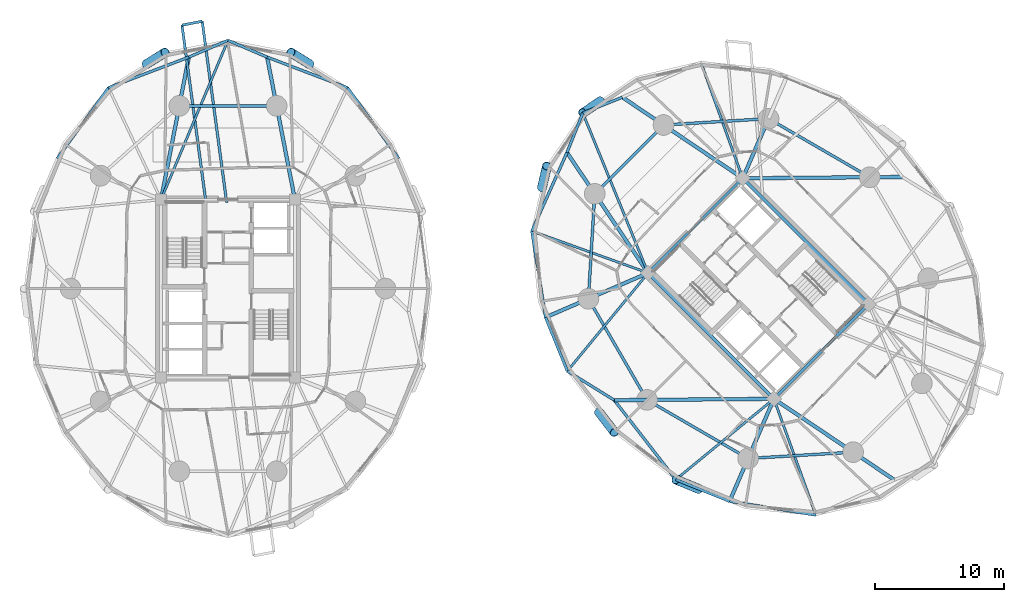
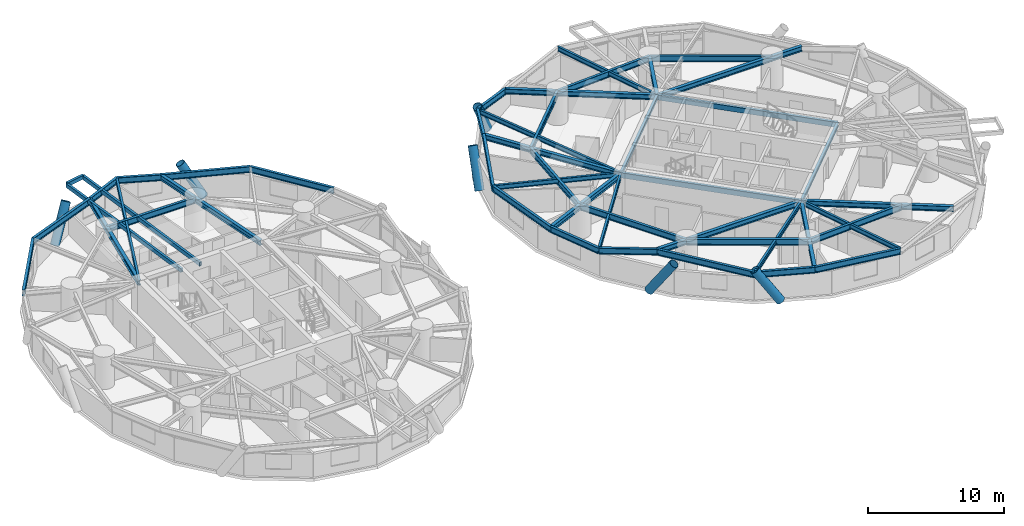
# One storey, part 5 of 18: 48 beams, 6 members.
"""IFC4 building model written with IfcOpenShell, lengths in metres."""

import ifcopenshell
import ifcopenshell.guid

model = None  # the IFC model being written
_history = None  # IfcOwnerHistory: only IFC2X3 demands one
_inside = {}  # id of a spatial element -> (the spatial element, [elements in it])
_under = {}  # id of a project, library or spatial element -> (it, [spatial elements below it])
_declared = {}  # id of a project -> (the project, [libraries it declares])
_typed = {}  # id of a type object -> (the type object, [elements of that type])
_made_of = {}  # id of a material, layer set ... -> (it, [elements and type objects made of it])


def new_model(schema):
    """Start an empty IFC model of exactly this schema.

    Asked for "IFC4X3", IfcOpenShell would pick the latest addendum, in which some entities
    have other attributes; the version numbers below select the first issue.
    IFC2X3 requires an IfcOwnerHistory on every rooted entity: one is made here for all.
    """
    global model, _history
    if schema == "IFC4X3":
        model = ifcopenshell.file(schema_version=(4, 3, 0, 0))
    else:
        model = ifcopenshell.file(schema=schema)
    _inside.clear()
    _under.clear()
    _declared.clear()
    _typed.clear()
    _made_of.clear()
    _history = None
    if model.schema == "IFC2X3":
        org = make("IfcOrganization", Name="unknown")
        user = make(
            "IfcPersonAndOrganization",
            ThePerson=make("IfcPerson", FamilyName="unknown"),
            TheOrganization=org,
        )
        app = make(
            "IfcApplication",
            ApplicationDeveloper=org,
            Version="unknown",
            ApplicationFullName="unknown",
            ApplicationIdentifier="unknown",
        )
        _history = make(
            "IfcOwnerHistory",
            OwningUser=user,
            OwningApplication=app,
            ChangeAction="ADDED",
            CreationDate=0,
        )
    return model


def make(cls, **values):
    """One entity of the class cls with the attributes given. An attribute that is None is left unset."""
    return model.create_entity(
        cls, **{name: value for name, value in values.items() if value is not None}
    )


def rooted(cls, **values):
    """An entity with a GlobalId (a new one), such as an element, a storey or a relation."""
    return make(cls, GlobalId=ifcopenshell.guid.new(), OwnerHistory=_history, **values)


def si_unit(unit_type, name, prefix=None):
    """IfcSIUnit, for example si_unit("LENGTHUNIT", "METRE", prefix="MILLI")."""
    return make("IfcSIUnit", UnitType=unit_type, Prefix=prefix, Name=name)


def assignment(units):
    """IfcUnitAssignment: the units of a project."""
    return None if units is None else make("IfcUnitAssignment", Units=units)


def point(xyz):
    """IfcCartesianPoint."""
    return None if xyz is None else make("IfcCartesianPoint", Coordinates=xyz)


def direction(xyz):
    """IfcDirection."""
    return None if xyz is None else make("IfcDirection", DirectionRatios=xyz)


def frame(location, z_axis=None, x_axis=None):
    """IfcAxis2Placement3D, a coordinate frame: its origin and axes. An axis left out is left unset."""
    return make(
        "IfcAxis2Placement3D",
        Location=point(location),
        Axis=direction(z_axis),
        RefDirection=direction(x_axis),
    )


def frame_2d(location, x_axis=None):
    """IfcAxis2Placement2D, a coordinate frame in the plane: its origin and x axis."""
    return make(
        "IfcAxis2Placement2D", Location=point(location), RefDirection=direction(x_axis)
    )


def origin():
    """The frame at (0, 0, 0) with its axes left unset."""
    return frame((0.0, 0.0, 0.0))


def origin_2d():
    """The frame at (0, 0) in the plane with its x axis left unset."""
    return frame_2d((0.0, 0.0))


def place(relative_to, where):
    """IfcLocalPlacement: puts the frame where relative to a parent placement (None: the world)."""
    return make(
        "IfcLocalPlacement", PlacementRelTo=relative_to, RelativePlacement=where
    )


def context(
    kind, dimensions, precision=None, world=None, true_north=None, identifier=None
):
    """IfcGeometricRepresentationContext, for example the 3D "Model" context."""
    return make(
        "IfcGeometricRepresentationContext",
        ContextIdentifier=identifier,
        ContextType=kind,
        CoordinateSpaceDimension=dimensions,
        Precision=precision,
        WorldCoordinateSystem=world,
        TrueNorth=true_north,
    )


def subcontext(parent, identifier, kind, view, scale=None):
    """IfcGeometricRepresentationSubContext, for example "Body" below "Model"."""
    return make(
        "IfcGeometricRepresentationSubContext",
        ContextIdentifier=identifier,
        ContextType=kind,
        ParentContext=parent,
        TargetScale=scale,
        TargetView=view,
    )


def project(units=None, contexts=None):
    """IfcProject with its units and contexts."""
    return rooted(
        "IfcProject",
        Name="project",
        RepresentationContexts=contexts,
        UnitsInContext=assignment(units),
    )


def spatial(cls, under=None, at=None, **own):
    """A site, building, storey or space (cls), placed at a placement, below another one or the project."""
    s = rooted(cls, ObjectPlacement=at, **own)
    if under is not None:
        _under.setdefault(under.id(), (under, []))[1].append(s)
    return s


def profile(cls, at=None, kind="AREA", **sizes):
    """A parametric profile (cls). Its sizes go by their IFC names, for example OverallWidth=200.0."""
    return make(cls, ProfileType=kind, Position=at, **sizes)


def hollow_rectangle(**sizes):
    """IfcRectangleHollowProfileDef."""
    return profile("IfcRectangleHollowProfileDef", **sizes)


def hollow_circle(**sizes):
    """IfcCircleHollowProfileDef."""
    return profile("IfcCircleHollowProfileDef", **sizes)


def i_section(**sizes):
    """IfcIShapeProfileDef."""
    return profile("IfcIShapeProfileDef", **sizes)


def extrude(swept, where, along, depth):
    """IfcExtrudedAreaSolid: the profile swept, set in the frame where, extruded along a direction by depth."""
    return make(
        "IfcExtrudedAreaSolid",
        SweptArea=swept,
        Position=where,
        ExtrudedDirection=direction(along),
        Depth=depth,
    )


def shape(context_of_items, identifier, shape_type, items):
    """IfcShapeRepresentation: the items that make up one representation, for example the "Body"."""
    return make(
        "IfcShapeRepresentation",
        ContextOfItems=context_of_items,
        RepresentationIdentifier=identifier,
        RepresentationType=shape_type,
        Items=items,
    )


def material(Name=None, Category=None):
    """IfcMaterial."""
    return make("IfcMaterial", Name=Name, Category=Category)


def material_profile(
    of_material, cross_section, Name=None, Category=None, Priority=None
):
    """IfcMaterialProfile: a cross section and its material."""
    return make(
        "IfcMaterialProfile",
        Name=Name,
        Material=of_material,
        Profile=cross_section,
        Priority=Priority,
        Category=Category,
    )


def profile_set(profiles, Name=None, composite=None):
    """IfcMaterialProfileSet."""
    return make(
        "IfcMaterialProfileSet",
        Name=Name,
        MaterialProfiles=profiles,
        CompositeProfile=composite,
    )


def made_of(thing, what):
    """Note that an element or type object is made of a material, layer set ...; save() writes the relation."""
    if what is not None:
        _made_of.setdefault(what.id(), (what, []))[1].append(thing)
    return thing


def type_object(cls, material=None, **own):
    """A type object (cls), such as IfcWallType, which elements share."""
    return made_of(rooted(cls, **own), material)


def element(
    cls,
    number,
    at=None,
    inside=None,
    cuts=None,
    type_object=None,
    material=None,
    context=None,
    identifier="Body",
    shape_type=None,
    held_by="IfcProductDefinitionShape",
    body=None,
    shapes=None,
    **own,
):
    """One element of the class cls, such as IfcWall. Its Tag is "e" and its number.

    at: its placement. inside: the storey or other place that contains it. cuts: it is an
    opening in that element (IfcRelVoidsElement). A single representation is given by context,
    identifier, shape_type and body (its items); several are given by shapes. held_by: the class
    of the entity that holds the representations. save() writes the other relations.
    """
    e = rooted(cls, Tag="e%d" % number, ObjectPlacement=at, **own)
    if body is not None:
        shapes = [shape(context, identifier, shape_type, body)]
    if shapes is not None:
        e.Representation = make(held_by, Representations=shapes)
    if inside is not None:
        _inside.setdefault(inside.id(), (inside, []))[1].append(e)
    if cuts is not None:
        rooted(
            "IfcRelVoidsElement", RelatingBuildingElement=cuts, RelatedOpeningElement=e
        )
    if type_object is not None:
        _typed.setdefault(type_object.id(), (type_object, []))[1].append(e)
    return made_of(e, material)


def aggregate(whole, parts):
    """IfcRelAggregates: a whole, such as a stair, and the parts it consists of."""
    return rooted("IfcRelAggregates", RelatingObject=whole, RelatedObjects=parts)


def save(model, path):
    """Write the relations noted so far, then the file.

    IfcRelAggregates (storeys below a building ...), IfcRelContainedInSpatialStructure (elements
    in a storey), IfcRelDefinesByType, IfcRelAssociatesMaterial and IfcRelDeclares: one each for
    every whole, place, type object, material and project.
    """
    for whole, parts in _under.values():
        aggregate(whole, parts)
    for where, things in _inside.values():
        rooted(
            "IfcRelContainedInSpatialStructure",
            RelatedElements=things,
            RelatingStructure=where,
        )
    for kind, things in _typed.values():
        rooted("IfcRelDefinesByType", RelatedObjects=things, RelatingType=kind)
    for what, things in _made_of.values():
        rooted("IfcRelAssociatesMaterial", RelatedObjects=things, RelatingMaterial=what)
    for by, libraries in _declared.values():
        rooted("IfcRelDeclares", RelatingContext=by, RelatedDefinitions=libraries)
    model.write(path)


model = new_model("IFC4")

# Units and contexts
model_context = context("Model", 3, precision=1e-05, world=origin(), true_north=direction((0.0, 1.0)))
body_context = subcontext(model_context, "Body", "Model", "MODEL_VIEW")
ifc_project = project(units=[si_unit("LENGTHUNIT", "METRE"), si_unit("AREAUNIT", "SQUARE_METRE"), si_unit("VOLUMEUNIT", "CUBIC_METRE"), si_unit("PLANEANGLEUNIT", "RADIAN"), si_unit("MASSUNIT", "GRAM", prefix="KILO")], contexts=[model_context])

# Site, building, storey
site_placement = place(None, origin())
site = spatial("IfcSite", under=ifc_project, at=site_placement, CompositionType="ELEMENT")
building_placement = place(site_placement, origin())
building = spatial("IfcBuilding", under=site, at=building_placement, Name="Cununo Teusaquillo Station Towers", CompositionType="ELEMENT")
storey_placement = place(building_placement, frame((0.0, 0.0, 36.550048828125)))
storey = spatial("IfcBuildingStorey", under=building, at=storey_placement, Name="L10", CompositionType="ELEMENT", Elevation=36.550048828125)

# Beams
ifc_material_1 = material(Name="Steel EN 10025-2 S355J2", Category="steel")
ifc_material_profile_1 = material_profile(ifc_material_1, hollow_rectangle(XDim=0.199951171875, YDim=0.35009765625, WallThickness=0.013916015625, at=origin_2d()), Name="RHS 350x200x14")
ifc_profile_set_1 = profile_set([ifc_material_profile_1], Name="Steel EN 10025-2 S355J2")
beam_type_1 = type_object("IfcBeamType", Name="BM-BAL-CANT", PredefinedType="BEAM", material=ifc_profile_set_1)
beam_1_placement = place(storey_placement, frame((16.40234375, 31.14990234375, 2.474853515625), z_axis=(-0.133963716843, 0.990986237326, 0.0), x_axis=(-0.990986237326, -0.133963716843, 0.0)))
element("IfcBeam", 1, at=beam_1_placement, inside=storey, type_object=beam_type_1, Name="L10 Tower A Balcony Cantilever Bracket 1A", PredefinedType="BEAM", context=body_context, shape_type="SweptSolid", body=[
    extrude(hollow_rectangle(XDim=0.199951171875, YDim=0.35009765625, WallThickness=0.013916015625, at=origin_2d()), origin(), (0.0, 0.0, 1.0), 14.14208984375),
])
beam_2_placement = place(storey_placement, frame((14.799560546875, 31.14990234375, 2.474853515625), z_axis=(-0.133965193427, 0.990986037717, 0.0), x_axis=(-0.990986037717, -0.133965193427, 0.0)))
element("IfcBeam", 2, at=beam_2_placement, inside=storey, type_object=beam_type_1, Name="L10 Tower A Balcony Cantilever Bracket 1B", PredefinedType="BEAM", context=body_context, shape_type="SweptSolid", body=[
    extrude(hollow_rectangle(XDim=0.199951171875, YDim=0.35009765625, WallThickness=0.013916015625, at=origin_2d()), origin(), (0.0, 0.0, 1.0), 13.837646484375),
])
ifc_material_2 = material(Name="Steel EN 10025-2 S355J2", Category="steel")
ifc_material_profile_2 = material_profile(ifc_material_2, hollow_rectangle(XDim=0.25, YDim=0.449951171875, WallThickness=0.01611328125, at=origin_2d()), Name="RHS 450x250x16")
ifc_profile_set_2 = profile_set([ifc_material_profile_2], Name="Steel EN 10025-2 S355J2")
beam_type_2 = type_object("IfcBeamType", Name="BM-COUP-1", PredefinedType="USERDEFINED", material=ifc_profile_set_2)
for number, where, z_axis, x_axis, name in (
    (3, (58.70556640625, 15.975830078125, 2.425048828125), (-0.707106781187, 0.707106781187, 0.0), (-0.707106781187, -0.707106781187, 0.0), "L10 Tower B Core Beam 1"),
    (4, (66.024169921875, 23.29443359375, 2.425048828125), (-0.707106781187, 0.707106781187, 0.0), (-0.707106781187, -0.707106781187, 0.0), "L10 Tower B Core Beam 2"),
):
    element("IfcBeam", number, at=place(storey_placement, frame(where, z_axis=z_axis, x_axis=x_axis)), inside=storey, type_object=beam_type_2, Name=name, ObjectType="COUPLING BEAM", PredefinedType="USERDEFINED", context=body_context, shape_type="SweptSolid", body=[
        extrude(hollow_rectangle(XDim=0.25, YDim=0.449951171875, WallThickness=0.01611328125, at=origin_2d()), origin(), (0.0, 0.0, 1.0), 13.760009765625),
    ])
ifc_material_3 = material(Name="Steel ASTM A572 Grade 50", Category="steel")
ifc_material_profile_3 = material_profile(ifc_material_3, i_section(OverallWidth=0.180908203125, OverallDepth=0.4169921875, WebThickness=0.010986328125, FlangeThickness=0.018310546875, FilletRadius=0.012939453125, at=origin_2d()), Name="W16X57")
ifc_profile_set_3 = profile_set([ifc_material_profile_3], Name="Steel ASTM A572 Grade 50")
beam_type_3 = type_object("IfcBeamType", Name="BM-JOIST-1", PredefinedType="JOIST", material=ifc_profile_set_3)
beam_3_placement = place(storey_placement, frame((11.324951171875, 31.3798828125, 2.44140625), z_axis=(0.387539558454, 0.92185307432, 0.0), x_axis=(-0.92185307432, 0.387539558454, 0.0)))
element("IfcBeam", 5, at=beam_3_placement, inside=storey, type_object=beam_type_3, Name="L10 Tower A Radial Spandrel Joist V05", PredefinedType="JOIST", context=body_context, shape_type="SweptSolid", body=[
    extrude(i_section(OverallWidth=0.180908203125, OverallDepth=0.4169921875, WebThickness=0.010986328125, FlangeThickness=0.018310546875, FilletRadius=0.012939453125, at=origin_2d()), origin(), (0.0, 0.0, 1.0), 13.353515625),
])
beam_4_placement = place(storey_placement, frame((56.29443359375, 33.024169921875, 2.44140625), z_axis=(-0.33906787056, 0.940761914171, 0.0), x_axis=(-0.940761914171, -0.33906787056, 0.0)))
element("IfcBeam", 6, at=beam_4_placement, inside=storey, type_object=beam_type_3, Name="L10 Tower B Radial Spandrel Joist V03", PredefinedType="JOIST", context=body_context, shape_type="SweptSolid", body=[
    extrude(i_section(OverallWidth=0.180908203125, OverallDepth=0.4169921875, WebThickness=0.010986328125, FlangeThickness=0.018310546875, FilletRadius=0.012939453125, at=origin_2d()), origin(), (0.0, 0.0, 1.0), 9.552734375),
])
beam_5_placement = place(storey_placement, frame((48.975830078125, 25.70556640625, 2.44140625), z_axis=(-0.377815437796, 0.92588092915, 0.0), x_axis=(-0.92588092915, -0.377815437796, 0.0)))
element("IfcBeam", 7, at=beam_5_placement, inside=storey, type_object=beam_type_3, Name="L10 Tower B Radial Spandrel Joist V05", PredefinedType="JOIST", context=body_context, shape_type="SweptSolid", body=[
    extrude(i_section(OverallWidth=0.180908203125, OverallDepth=0.4169921875, WebThickness=0.010986328125, FlangeThickness=0.018310546875, FilletRadius=0.012939453125, at=origin_2d()), origin(), (0.0, 0.0, 1.0), 13.353515625),
])
beam_6_placement = place(storey_placement, frame((48.975830078125, 25.70556640625, 2.44140625), z_axis=(-0.940761914171, 0.33906787056, 0.0), x_axis=(-0.33906787056, -0.940761914171, 0.0)))
element("IfcBeam", 8, at=beam_6_placement, inside=storey, type_object=beam_type_3, Name="L10 Tower B Radial Spandrel Joist V07", PredefinedType="JOIST", context=body_context, shape_type="SweptSolid", body=[
    extrude(i_section(OverallWidth=0.180908203125, OverallDepth=0.4169921875, WebThickness=0.010986328125, FlangeThickness=0.018310546875, FilletRadius=0.012939453125, at=origin_2d()), origin(), (0.0, 0.0, 1.0), 9.552734375),
])
for number, where, z_axis, x_axis, name in (
    (9, (48.975830078125, 25.70556640625, 2.44140625), (-0.635389148475, -0.772192093976, 0.0), (0.772192093976, -0.635389148475, 0.0), "L10 Tower B Radial Spandrel Joist V09"),
    (10, (58.70556640625, 15.975830078125, 2.44140625), (-0.772192093976, -0.635389148475, 0.0), (0.635389148475, -0.772192093976, 0.0), "L10 Tower B Radial Spandrel Joist V11"),
):
    element("IfcBeam", number, at=place(storey_placement, frame(where, z_axis=z_axis, x_axis=x_axis)), inside=storey, type_object=beam_type_3, Name=name, PredefinedType="JOIST", context=body_context, shape_type="SweptSolid", body=[
        extrude(i_section(OverallWidth=0.180908203125, OverallDepth=0.4169921875, WebThickness=0.010986328125, FlangeThickness=0.018310546875, FilletRadius=0.012939453125, at=origin_2d()), origin(), (0.0, 0.0, 1.0), 9.82080078125),
    ])
beam_7_placement = place(storey_placement, frame((58.70556640625, 15.975830078125, 2.44140625), z_axis=(0.33906787056, -0.940761914171, 0.0), x_axis=(0.940761914171, 0.33906787056, 0.0)))
element("IfcBeam", 11, at=beam_7_placement, inside=storey, type_object=beam_type_3, Name="L10 Tower B Radial Spandrel Joist V13", PredefinedType="JOIST", context=body_context, shape_type="SweptSolid", body=[
    extrude(i_section(OverallWidth=0.180908203125, OverallDepth=0.4169921875, WebThickness=0.010986328125, FlangeThickness=0.018310546875, FilletRadius=0.012939453125, at=origin_2d()), origin(), (0.0, 0.0, 1.0), 9.552734375),
])
ifc_material_4 = material(Name="Steel ASTM A572 Grade 50", Category="steel")
ifc_material_profile_4 = material_profile(ifc_material_4, i_section(OverallWidth=0.2041015625, OverallDepth=0.35009765625, WebThickness=0.008544921875, FlangeThickness=0.01513671875, FilletRadius=0.011962890625, at=origin_2d()), Name="W14X48")
ifc_profile_set_4 = profile_set([ifc_material_profile_4], Name="Steel ASTM A572 Grade 50")
beam_type_4 = type_object("IfcBeamType", Name="BM-LINTEL-1", PredefinedType="LINTEL", material=ifc_profile_set_4)
for number, where, z_axis, x_axis, name in (
    (12, (58.70556640625, 15.975830078125, 2.474853515625), (0.707106781187, 0.707106781187, 0.0), (-0.707106781187, 0.707106781187, 0.0), "L10 Tower B Core Beam 3"),
    (13, (48.975830078125, 25.70556640625, 2.474853515625), (0.707106781187, 0.707106781187, 0.0), (-0.707106781187, 0.707106781187, 0.0), "L10 Tower B Core Beam 4"),
):
    element("IfcBeam", number, at=place(storey_placement, frame(where, z_axis=z_axis, x_axis=x_axis)), inside=storey, type_object=beam_type_4, Name=name, PredefinedType="LINTEL", context=body_context, shape_type="SweptSolid", body=[
        extrude(i_section(OverallWidth=0.2041015625, OverallDepth=0.35009765625, WebThickness=0.008544921875, FlangeThickness=0.01513671875, FilletRadius=0.011962890625, at=origin_2d()), origin(), (0.0, 0.0, 1.0), 10.35009765625),
    ])
ifc_material_5 = material(Name="Steel ASTM A572 Grade 50", Category="steel")
ifc_material_profile_5 = material_profile(ifc_material_5, i_section(OverallWidth=0.280029296875, OverallDepth=0.462890625, WebThickness=0.0107421875, FlangeThickness=0.017333984375, FilletRadius=0.013916015625, at=origin_2d()), Name="W18X76")
ifc_profile_set_5 = profile_set([ifc_material_profile_5], Name="Steel ASTM A572 Grade 50")
beam_type_5 = type_object("IfcBeamType", Name="BM-RAD-G1", PredefinedType="BEAM", material=ifc_profile_set_5)
for number, where, z_axis, x_axis, name in (
    (14, (21.675048828125, 31.3798828125, 2.41845703125), (-0.191549210283, 0.981483010571, 0.0), (-0.981483010571, -0.191549210283, 0.0), "L10 Tower A Continuous Overhanging Radial Girder 03"),
    (15, (11.324951171875, 31.3798828125, 2.41845703125), (0.191549210283, 0.981483010571, 0.0), (-0.981483010571, 0.191549210283, 0.0), "L10 Tower A Continuous Overhanging Radial Girder 04"),
):
    element("IfcBeam", number, at=place(storey_placement, frame(where, z_axis=z_axis, x_axis=x_axis)), inside=storey, type_object=beam_type_5, Name=name, PredefinedType="BEAM", context=body_context, shape_type="SweptSolid", body=[
        extrude(i_section(OverallWidth=0.280029296875, OverallDepth=0.462890625, WebThickness=0.0107421875, FlangeThickness=0.017333984375, FilletRadius=0.013916015625, at=origin_2d()), origin(), (0.0, 0.0, 1.0), 11.22119140625),
    ])
beam_8_placement = place(storey_placement, frame((56.29443359375, 33.024169921875, 2.41845703125), z_axis=(0.999964326722, 0.008446613668, 0.0), x_axis=(-0.008446613668, 0.999964326722, 0.0)))
element("IfcBeam", 16, at=beam_8_placement, inside=storey, type_object=beam_type_5, Name="L10 Tower B Continuous Overhanging Radial Girder 01", PredefinedType="BEAM", context=body_context, shape_type="SweptSolid", body=[
    extrude(i_section(OverallWidth=0.280029296875, OverallDepth=0.462890625, WebThickness=0.0107421875, FlangeThickness=0.017333984375, FilletRadius=0.013916015625, at=origin_2d()), origin(), (0.0, 0.0, 1.0), 12.342041015625),
])
beam_9_placement = place(storey_placement, frame((56.29443359375, 33.024169921875, 2.41845703125), z_axis=(0.397346986387, 0.917668443616, 0.0), x_axis=(-0.917668443616, 0.397346986387, 0.0)))
element("IfcBeam", 17, at=beam_9_placement, inside=storey, type_object=beam_type_5, Name="L10 Tower B Radial Girder 02A", PredefinedType="BEAM", context=body_context, shape_type="SweptSolid", body=[
    extrude(i_section(OverallWidth=0.280029296875, OverallDepth=0.462890625, WebThickness=0.0107421875, FlangeThickness=0.017333984375, FilletRadius=0.013916015625, at=origin_2d()), origin(), (0.0, 0.0, 1.0), 5.02490234375),
])
for number, where, z_axis, x_axis, name in (
    (18, (56.29443359375, 33.024169921875, 2.41845703125), (-0.829460584667, 0.558565249978, 0.0), (-0.558565249978, -0.829460584667, 0.0), "L10 Tower B Continuous Overhanging Radial Girder 03"),
    (19, (48.975830078125, 25.70556640625, 2.41845703125), (-0.558565249978, 0.829460584667, 0.0), (-0.829460584667, -0.558565249978, 0.0), "L10 Tower B Continuous Overhanging Radial Girder 04"),
):
    element("IfcBeam", number, at=place(storey_placement, frame(where, z_axis=z_axis, x_axis=x_axis)), inside=storey, type_object=beam_type_5, Name=name, PredefinedType="BEAM", context=body_context, shape_type="SweptSolid", body=[
        extrude(i_section(OverallWidth=0.280029296875, OverallDepth=0.462890625, WebThickness=0.0107421875, FlangeThickness=0.017333984375, FilletRadius=0.013916015625, at=origin_2d()), origin(), (0.0, 0.0, 1.0), 11.22119140625),
    ])
beam_10_placement = place(storey_placement, frame((48.975830078125, 25.70556640625, 2.41845703125), z_axis=(-0.91765947108, -0.397367707718, 0.0), x_axis=(0.397367707718, -0.91765947108, 0.0)))
element("IfcBeam", 20, at=beam_10_placement, inside=storey, type_object=beam_type_5, Name="L10 Tower B Continuous Overhanging Radial Girder 05", PredefinedType="BEAM", context=body_context, shape_type="SweptSolid", body=[
    extrude(i_section(OverallWidth=0.280029296875, OverallDepth=0.462890625, WebThickness=0.0107421875, FlangeThickness=0.017333984375, FilletRadius=0.013916015625, at=origin_2d()), origin(), (0.0, 0.0, 1.0), 8.631591796875),
])
beam_11_placement = place(storey_placement, frame((58.70556640625, 15.975830078125, 2.41845703125), z_axis=(-0.999964431382, -0.008434214327, 0.0), x_axis=(0.008434214327, -0.999964431382, 0.0)))
element("IfcBeam", 21, at=beam_11_placement, inside=storey, type_object=beam_type_5, Name="L10 Tower B Radial Girder 06A", PredefinedType="BEAM", context=body_context, shape_type="SweptSolid", body=[
    extrude(i_section(OverallWidth=0.280029296875, OverallDepth=0.462890625, WebThickness=0.0107421875, FlangeThickness=0.017333984375, FilletRadius=0.013916015625, at=origin_2d()), origin(), (0.0, 0.0, 1.0), 9.812744140625),
])
beam_12_placement = place(storey_placement, frame((48.89306640625, 15.89306640625, 2.41845703125), z_axis=(-0.999963919198, -0.00849472197, 0.0), x_axis=(0.00849472197, -0.999963919198, 0.0)))
element("IfcBeam", 22, at=beam_12_placement, inside=storey, type_object=beam_type_5, Name="L10 Tower B Perimeter Overhang Girder 06B", PredefinedType="BEAM", context=body_context, shape_type="SweptSolid", body=[
    extrude(i_section(OverallWidth=0.280029296875, OverallDepth=0.462890625, WebThickness=0.0107421875, FlangeThickness=0.017333984375, FilletRadius=0.013916015625, at=origin_2d()), origin(), (0.0, 0.0, 1.0), 2.529052734375),
])
beam_13_placement = place(storey_placement, frame((58.70556640625, 15.975830078125, 2.41845703125), z_axis=(-0.397367707718, -0.91765947108, 0.0), x_axis=(0.91765947108, -0.397367707718, 0.0)))
element("IfcBeam", 23, at=beam_13_placement, inside=storey, type_object=beam_type_5, Name="L10 Tower B Continuous Overhanging Radial Girder 07", PredefinedType="BEAM", context=body_context, shape_type="SweptSolid", body=[
    extrude(i_section(OverallWidth=0.280029296875, OverallDepth=0.462890625, WebThickness=0.0107421875, FlangeThickness=0.017333984375, FilletRadius=0.013916015625, at=origin_2d()), origin(), (0.0, 0.0, 1.0), 8.631591796875),
])
beam_14_placement = place(storey_placement, frame((58.70556640625, 15.975830078125, 2.41845703125), z_axis=(0.829460584667, -0.558565249978, 0.0), x_axis=(0.558565249978, 0.829460584667, 0.0)))
element("IfcBeam", 24, at=beam_14_placement, inside=storey, type_object=beam_type_5, Name="L10 Tower B Continuous Overhanging Radial Girder 08", PredefinedType="BEAM", context=body_context, shape_type="SweptSolid", body=[
    extrude(i_section(OverallWidth=0.280029296875, OverallDepth=0.462890625, WebThickness=0.0107421875, FlangeThickness=0.017333984375, FilletRadius=0.013916015625, at=origin_2d()), origin(), (0.0, 0.0, 1.0), 11.22119140625),
])
ifc_material_6 = material(Name="Steel ASTM A572 Grade 50", Category="steel")
ifc_material_profile_6 = material_profile(ifc_material_6, i_section(OverallWidth=0.214111328125, OverallDepth=0.549072265625, WebThickness=0.0146484375, FlangeThickness=0.023681640625, FilletRadius=0.014892578125, at=origin_2d()), Name="W21X93")
ifc_profile_set_6 = profile_set([ifc_material_profile_6], Name="Steel ASTM A572 Grade 50")
beam_type_6 = type_object("IfcBeamType", Name="BM-RING-Z1", PredefinedType="SPANDREL", material=ifc_profile_set_6)
beam_15_placement = place(storey_placement, frame((20.261474609375, 38.623291015625, 2.37548828125), z_axis=(-1.0, 0.0, 0.0), x_axis=(0.0, -1.0, 0.0)))
element("IfcBeam", 25, at=beam_15_placement, inside=storey, type_object=beam_type_6, Name="L10 Tower A Structural Column Ring Girder 03", PredefinedType="SPANDREL", context=body_context, shape_type="SweptSolid", body=[
    extrude(i_section(OverallWidth=0.214111328125, OverallDepth=0.549072265625, WebThickness=0.0146484375, FlangeThickness=0.023681640625, FilletRadius=0.014892578125, at=origin_2d()), origin(), (0.0, 0.0, 1.0), 7.52294921875),
])
beam_16_placement = place(storey_placement, frame((29.701171875, 34.555419921875, 2.37548828125), z_axis=(-0.586607937648, 0.809871056087, 0.0), x_axis=(-0.809871056087, -0.586607937648, 0.0)))
element("IfcBeam", 26, at=beam_16_placement, inside=storey, type_object=beam_type_6, Name="L10 Tower A Spandrel Ring Beam 03", PredefinedType="SPANDREL", context=body_context, shape_type="SweptSolid", body=[
    extrude(i_section(OverallWidth=0.214111328125, OverallDepth=0.549072265625, WebThickness=0.0146484375, FlangeThickness=0.023681640625, FilletRadius=0.014892578125, at=origin_2d()), origin(), (0.0, 0.0, 1.0), 6.75341796875),
])
beam_17_placement = place(storey_placement, frame((25.739501953125, 40.02490234375, 2.37548828125), z_axis=(-0.934426653529, 0.356155624937, 0.0), x_axis=(-0.356155624937, -0.934426653529, 0.0)))
element("IfcBeam", 27, at=beam_17_placement, inside=storey, type_object=beam_type_6, Name="L10 Tower A Spandrel Ring Beam 04", PredefinedType="SPANDREL", context=body_context, shape_type="SweptSolid", body=[
    extrude(i_section(OverallWidth=0.214111328125, OverallDepth=0.549072265625, WebThickness=0.0146484375, FlangeThickness=0.023681640625, FilletRadius=0.014892578125, at=origin_2d()), origin(), (0.0, 0.0, 1.0), 6.64990234375),
])
for number, where, z_axis, x_axis, name in (
    (28, (19.525634765625, 42.393310546875, 2.37548828125), (-0.919152702301, 0.393901396104, 0.0), (-0.393901396104, -0.919152702301, 0.0), "L10 Tower A Spandrel Ring Beam 05"),
    (29, (16.5, 43.68994140625, 2.37548828125), (-0.919152702301, -0.393901396104, 0.0), (0.393901396104, -0.919152702301, 0.0), "L10 Tower A Spandrel Ring Beam 06"),
):
    element("IfcBeam", number, at=place(storey_placement, frame(where, z_axis=z_axis, x_axis=x_axis)), inside=storey, type_object=beam_type_6, Name=name, PredefinedType="SPANDREL", context=body_context, shape_type="SweptSolid", body=[
        extrude(i_section(OverallWidth=0.214111328125, OverallDepth=0.549072265625, WebThickness=0.0146484375, FlangeThickness=0.023681640625, FilletRadius=0.014892578125, at=origin_2d()), origin(), (0.0, 0.0, 1.0), 3.291748046875),
    ])
beam_18_placement = place(storey_placement, frame((13.474365234375, 42.393310546875, 2.37548828125), z_axis=(-0.934426653529, -0.356155624937, 0.0), x_axis=(0.356155624937, -0.934426653529, 0.0)))
element("IfcBeam", 30, at=beam_18_placement, inside=storey, type_object=beam_type_6, Name="L10 Tower A Spandrel Ring Beam 07", PredefinedType="SPANDREL", context=body_context, shape_type="SweptSolid", body=[
    extrude(i_section(OverallWidth=0.214111328125, OverallDepth=0.549072265625, WebThickness=0.0146484375, FlangeThickness=0.023681640625, FilletRadius=0.014892578125, at=origin_2d()), origin(), (0.0, 0.0, 1.0), 6.64990234375),
])
beam_19_placement = place(storey_placement, frame((7.260498046875, 40.02490234375, 2.37548828125), z_axis=(-0.586607937648, -0.809871056087, 0.0), x_axis=(0.809871056087, -0.586607937648, 0.0)))
element("IfcBeam", 31, at=beam_19_placement, inside=storey, type_object=beam_type_6, Name="L10 Tower A Spandrel Ring Beam 08", PredefinedType="SPANDREL", context=body_context, shape_type="SweptSolid", body=[
    extrude(i_section(OverallWidth=0.214111328125, OverallDepth=0.549072265625, WebThickness=0.0146484375, FlangeThickness=0.023681640625, FilletRadius=0.014892578125, at=origin_2d()), origin(), (0.0, 0.0, 1.0), 6.75341796875),
])
beam_20_placement = place(storey_placement, frame((66.10693359375, 33.10693359375, 2.37548828125), z_axis=(-0.865267103202, 0.501311121078, 0.0), x_axis=(-0.501311121078, -0.865267103202, 0.0)))
element("IfcBeam", 32, at=beam_20_placement, inside=storey, type_object=beam_type_6, Name="L10 Tower B Structural Column Ring Girder 01", PredefinedType="SPANDREL", context=body_context, shape_type="SweptSolid", body=[
    extrude(i_section(OverallWidth=0.214111328125, OverallDepth=0.549072265625, WebThickness=0.0146484375, FlangeThickness=0.023681640625, FilletRadius=0.014892578125, at=origin_2d()), origin(), (0.0, 0.0, 1.0), 9.032958984375),
])
beam_21_placement = place(storey_placement, frame((58.291015625, 37.63525390625, 2.37548828125), z_axis=(-0.998190567048, -0.06012979176, 0.0), x_axis=(0.06012979176, -0.998190567048, 0.0)))
element("IfcBeam", 33, at=beam_21_placement, inside=storey, type_object=beam_type_6, Name="L10 Tower B Structural Column Ring Girder 02", PredefinedType="SPANDREL", context=body_context, shape_type="SweptSolid", body=[
    extrude(i_section(OverallWidth=0.214111328125, OverallDepth=0.549072265625, WebThickness=0.0146484375, FlangeThickness=0.023681640625, FilletRadius=0.014892578125, at=origin_2d()), origin(), (0.0, 0.0, 1.0), 8.132568359375),
])
beam_22_placement = place(storey_placement, frame((50.173095703125, 37.146240234375, 2.37548828125), z_axis=(-0.707106781187, -0.707106781187, 0.0), x_axis=(0.707106781187, -0.707106781187, 0.0)))
element("IfcBeam", 34, at=beam_22_placement, inside=storey, type_object=beam_type_6, Name="L10 Tower B Structural Column Ring Girder 03", PredefinedType="SPANDREL", context=body_context, shape_type="SweptSolid", body=[
    extrude(i_section(OverallWidth=0.214111328125, OverallDepth=0.549072265625, WebThickness=0.0146484375, FlangeThickness=0.023681640625, FilletRadius=0.014892578125, at=origin_2d()), origin(), (0.0, 0.0, 1.0), 7.522705078125),
])
beam_23_placement = place(storey_placement, frame((44.853759765625, 31.826904296875, 2.37548828125), z_axis=(-0.06012979176, -0.998190567048, 0.0), x_axis=(0.998190567048, -0.06012979176, 0.0)))
element("IfcBeam", 35, at=beam_23_placement, inside=storey, type_object=beam_type_6, Name="L10 Tower B Structural Column Ring Girder 04", PredefinedType="SPANDREL", context=body_context, shape_type="SweptSolid", body=[
    extrude(i_section(OverallWidth=0.214111328125, OverallDepth=0.549072265625, WebThickness=0.0146484375, FlangeThickness=0.023681640625, FilletRadius=0.014892578125, at=origin_2d()), origin(), (0.0, 0.0, 1.0), 8.132568359375),
])
for number, where, z_axis, x_axis, name in (
    (36, (44.36474609375, 23.708984375, 2.37548828125), (0.501311121078, -0.865267103202, 0.0), (0.865267103202, 0.501311121078, 0.0), "L10 Tower B Structural Column Ring Girder 05"),
    (37, (48.89306640625, 15.89306640625, 2.37548828125), (0.865267103202, -0.501311121078, 0.0), (0.501311121078, 0.865267103202, 0.0), "L10 Tower B Structural Column Ring Girder 06"),
):
    element("IfcBeam", number, at=place(storey_placement, frame(where, z_axis=z_axis, x_axis=x_axis)), inside=storey, type_object=beam_type_6, Name=name, PredefinedType="SPANDREL", context=body_context, shape_type="SweptSolid", body=[
        extrude(i_section(OverallWidth=0.214111328125, OverallDepth=0.549072265625, WebThickness=0.0146484375, FlangeThickness=0.023681640625, FilletRadius=0.014892578125, at=origin_2d()), origin(), (0.0, 0.0, 1.0), 9.032958984375),
    ])
beam_24_placement = place(storey_placement, frame((56.708984375, 11.36474609375, 2.37548828125), z_axis=(0.998190567048, 0.06012979176, 0.0), x_axis=(-0.06012979176, 0.998190567048, 0.0)))
element("IfcBeam", 38, at=beam_24_placement, inside=storey, type_object=beam_type_6, Name="L10 Tower B Structural Column Ring Girder 07", PredefinedType="SPANDREL", context=body_context, shape_type="SweptSolid", body=[
    extrude(i_section(OverallWidth=0.214111328125, OverallDepth=0.549072265625, WebThickness=0.0146484375, FlangeThickness=0.023681640625, FilletRadius=0.014892578125, at=origin_2d()), origin(), (0.0, 0.0, 1.0), 8.132568359375),
])
for number, where, z_axis, x_axis, name in (
    (39, (46.98681640625, 39.2919921875, 2.37548828125), (-0.928456228871, -0.371441827304, 0.0), (0.371441827304, -0.928456228871, 0.0), "L10 Tower B Spandrel Ring Beam 05"),
    (40, (43.9306640625, 38.0693359375, 2.37548828125), (-0.371441827304, -0.928456228871, 0.0), (0.928456228871, -0.371441827304, 0.0), "L10 Tower B Spandrel Ring Beam 06"),
):
    element("IfcBeam", number, at=place(storey_placement, frame(where, z_axis=z_axis, x_axis=x_axis)), inside=storey, type_object=beam_type_6, Name=name, PredefinedType="SPANDREL", context=body_context, shape_type="SweptSolid", body=[
        extrude(i_section(OverallWidth=0.214111328125, OverallDepth=0.549072265625, WebThickness=0.0146484375, FlangeThickness=0.023681640625, FilletRadius=0.014892578125, at=origin_2d()), origin(), (0.0, 0.0, 1.0), 3.291748046875),
    ])
beam_25_placement = place(storey_placement, frame((42.7080078125, 35.01318359375, 2.37548828125), z_axis=(-0.408878798951, -0.912588695836, 0.0), x_axis=(0.912588695836, -0.408878798951, 0.0)))
element("IfcBeam", 41, at=beam_25_placement, inside=storey, type_object=beam_type_6, Name="L10 Tower B Spandrel Ring Beam 07", PredefinedType="SPANDREL", context=body_context, shape_type="SweptSolid", body=[
    extrude(i_section(OverallWidth=0.214111328125, OverallDepth=0.549072265625, WebThickness=0.0146484375, FlangeThickness=0.023681640625, FilletRadius=0.014892578125, at=origin_2d()), origin(), (0.0, 0.0, 1.0), 6.64990234375),
])
beam_26_placement = place(storey_placement, frame((39.989013671875, 28.944580078125, 2.37548828125), z_axis=(0.157829770834, -0.987466335344, 0.0), x_axis=(0.987466335344, 0.157829770834, 0.0)))
element("IfcBeam", 42, at=beam_26_placement, inside=storey, type_object=beam_type_6, Name="L10 Tower B Spandrel Ring Beam 08", PredefinedType="SPANDREL", context=body_context, shape_type="SweptSolid", body=[
    extrude(i_section(OverallWidth=0.214111328125, OverallDepth=0.549072265625, WebThickness=0.0146484375, FlangeThickness=0.023681640625, FilletRadius=0.014892578125, at=origin_2d()), origin(), (0.0, 0.0, 1.0), 6.753662109375),
])
beam_27_placement = place(storey_placement, frame((41.054931640625, 22.275634765625, 2.37548828125), z_axis=(0.375135909025, -0.926969821386, 0.0), x_axis=(0.926969821386, 0.375135909025, 0.0)))
element("IfcBeam", 43, at=beam_27_placement, inside=storey, type_object=beam_type_6, Name="L10 Tower B Spandrel Ring Beam 09", PredefinedType="SPANDREL", context=body_context, shape_type="SweptSolid", body=[
    extrude(i_section(OverallWidth=0.214111328125, OverallDepth=0.549072265625, WebThickness=0.0146484375, FlangeThickness=0.023681640625, FilletRadius=0.014892578125, at=origin_2d()), origin(), (0.0, 0.0, 1.0), 4.480712890625),
])
beam_28_placement = place(storey_placement, frame((42.73583984375, 18.1220703125, 2.37548828125), z_axis=(0.849795627585, -0.527112313779, 0.0), x_axis=(0.527112313779, 0.849795627585, 0.0)))
element("IfcBeam", 44, at=beam_28_placement, inside=storey, type_object=beam_type_6, Name="L10 Tower B Spandrel Ring Beam 10", PredefinedType="SPANDREL", context=body_context, shape_type="SweptSolid", body=[
    extrude(i_section(OverallWidth=0.214111328125, OverallDepth=0.549072265625, WebThickness=0.0146484375, FlangeThickness=0.023681640625, FilletRadius=0.014892578125, at=origin_2d()), origin(), (0.0, 0.0, 1.0), 4.26953125),
])
beam_29_placement = place(storey_placement, frame((46.364013671875, 15.87158203125, 2.37548828125), z_axis=(0.612801480015, -0.790236892388, 0.0), x_axis=(0.790236892388, 0.612801480015, 0.0)))
element("IfcBeam", 45, at=beam_29_placement, inside=storey, type_object=beam_type_6, Name="L10 Tower B Spandrel Ring Beam 11", PredefinedType="SPANDREL", context=body_context, shape_type="SweptSolid", body=[
    extrude(i_section(OverallWidth=0.214111328125, OverallDepth=0.549072265625, WebThickness=0.0146484375, FlangeThickness=0.023681640625, FilletRadius=0.014892578125, at=origin_2d()), origin(), (0.0, 0.0, 1.0), 7.764404296875),
])
beam_30_placement = place(storey_placement, frame((51.1220703125, 9.73583984375, 2.37548828125), z_axis=(0.926969821386, -0.375135909025, 0.0), x_axis=(0.375135909025, 0.926969821386, 0.0)))
element("IfcBeam", 46, at=beam_30_placement, inside=storey, type_object=beam_type_6, Name="L10 Tower B Spandrel Ring Beam 12", PredefinedType="SPANDREL", context=body_context, shape_type="SweptSolid", body=[
    extrude(i_section(OverallWidth=0.214111328125, OverallDepth=0.549072265625, WebThickness=0.0146484375, FlangeThickness=0.023681640625, FilletRadius=0.014892578125, at=origin_2d()), origin(), (0.0, 0.0, 1.0), 4.480712890625),
])
beam_31_placement = place(storey_placement, frame((55.275634765625, 8.054931640625, 2.37548828125), z_axis=(0.987466335344, -0.157829770834, 0.0), x_axis=(0.157829770834, 0.987466335344, 0.0)))
element("IfcBeam", 47, at=beam_31_placement, inside=storey, type_object=beam_type_6, Name="L10 Tower B Spandrel Ring Beam 13", PredefinedType="SPANDREL", context=body_context, shape_type="SweptSolid", body=[
    extrude(i_section(OverallWidth=0.214111328125, OverallDepth=0.549072265625, WebThickness=0.0146484375, FlangeThickness=0.023681640625, FilletRadius=0.014892578125, at=origin_2d()), origin(), (0.0, 0.0, 1.0), 6.753662109375),
])
ifc_material_7 = material(Name="Steel EN 10025-2 S355J2", Category="steel")
ifc_material_profile_7 = material_profile(ifc_material_7, hollow_rectangle(XDim=0.199951171875, YDim=0.35009765625, WallThickness=0.013916015625, at=origin_2d()), Name="RHS 350x200x14")
ifc_profile_set_7 = profile_set([ifc_material_profile_7], Name="Steel EN 10025-2 S355J2")
beam_type_7 = type_object("IfcBeamType", Name="BM-STAIR-TRIM", PredefinedType="BEAM", material=ifc_profile_set_7)
beam_32_placement = place(storey_placement, frame((14.5078125, 45.16455078125, 2.52490234375), z_axis=(-0.981846285306, -0.18967833833, 0.0), x_axis=(0.18967833833, -0.981846285306, 0.0)))
element("IfcBeam", 48, at=beam_32_placement, inside=storey, type_object=beam_type_7, Name="L10 Tower A Balcony Edge Trimmer Beam 1", PredefinedType="BEAM", context=body_context, shape_type="SweptSolid", body=[
    extrude(hollow_rectangle(XDim=0.199951171875, YDim=0.35009765625, WallThickness=0.013916015625, at=origin_2d()), origin(), (0.0, 0.0, 1.0), 1.5908203125),
])

# Members
ifc_material_8 = material(Name="Steel EN 10025-2 S355J2", Category="steel")
ifc_material_profile_8 = material_profile(ifc_material_8, hollow_circle(Radius=0.360107421875, WallThickness=0.028076171875, at=origin_2d()), Name="CHS 720x28")
ifc_profile_set_8 = profile_set([ifc_material_profile_8], Name="Steel EN 10025-2 S355J2")
member_type = type_object("IfcMemberType", Name="MBR-DIAG-Z1", PredefinedType="BRACE", material=ifc_profile_set_8)
for number, where, z_axis, x_axis, name in (
    (49, (22.818115234375, 41.84228515625, -0.14013671875), (-0.432091408994, 0.268730090735, 0.860860704532), (-0.528122251674, -0.84916835038, 0.0), "L10 Tower A Folded-Zigzag Diagrid Tube C03"),
    (50, (10.181884765625, 41.84228515625, -0.14013671875), (0.432091408994, 0.268730090735, 0.860860704532), (-0.528122251674, 0.84916835038, 0.0), "L10 Tower A Folded-Zigzag Diagrid Tube C06"),
):
    element("IfcMember", number, at=place(storey_placement, frame(where, z_axis=z_axis, x_axis=x_axis)), inside=storey, type_object=member_type, Name=name, PredefinedType="BRACE", context=body_context, shape_type="SweptSolid", body=[
        extrude(hollow_circle(Radius=0.360107421875, WallThickness=0.028076171875, at=origin_2d()), origin(), (0.0, 0.0, 1.0), 3.380615234375),
    ])
member_1_placement = place(storey_placement, frame((45.296875, 38.992919921875, -0.14013671875), z_axis=(-0.408442449237, -0.276114686466, 0.870020370784), x_axis=(0.560052437376, -0.828457160866, 0.0)))
element("IfcMember", 51, at=member_1_placement, inside=storey, type_object=member_type, Name="L10 Tower B Folded-Zigzag Diagrid Tube C04", PredefinedType="BRACE", context=body_context, shape_type="SweptSolid", body=[
    extrude(hollow_circle(Radius=0.360107421875, WallThickness=0.028076171875, at=origin_2d()), origin(), (0.0, 0.0, 1.0), 3.344970703125),
])
member_2_placement = place(storey_placement, frame((40.76953125, 32.29541015625, -0.14013671875), z_axis=(0.115479036087, 0.495570447549, 0.860856854384), x_axis=(-0.97390816807, 0.226942460033, 0.0)))
element("IfcMember", 52, at=member_2_placement, inside=storey, type_object=member_type, Name="L10 Tower B Folded-Zigzag Diagrid Tube C06", PredefinedType="BRACE", context=body_context, shape_type="SweptSolid", body=[
    extrude(hollow_circle(Radius=0.360107421875, WallThickness=0.028076171875, at=origin_2d()), origin(), (0.0, 0.0, 1.0), 3.380615234375),
])
member_3_placement = place(storey_placement, frame((45.168701171875, 14.964111328125, -0.14013671875), z_axis=(0.344825254362, -0.447677588361, 0.825033527097), x_axis=(0.792232238266, 0.610219698676, 0.0)))
element("IfcMember", 53, at=member_3_placement, inside=storey, type_object=member_type, Name="L10 Tower B Folded-Zigzag Diagrid Tube C09", PredefinedType="BRACE", context=body_context, shape_type="SweptSolid", body=[
    extrude(hollow_circle(Radius=0.360107421875, WallThickness=0.028076171875, at=origin_2d()), origin(), (0.0, 0.0, 1.0), 3.52734375),
])
member_4_placement = place(storey_placement, frame((52.9091796875, 9.001220703125, -0.14013671875), z_axis=(-0.511596881774, 0.210299865746, 0.833092189993), x_axis=(-0.380196848385, -0.924905593279, 0.0)))
element("IfcMember", 54, at=member_4_placement, inside=storey, type_object=member_type, Name="L10 Tower B Folded-Zigzag Diagrid Tube C11", PredefinedType="BRACE", context=body_context, shape_type="SweptSolid", body=[
    extrude(hollow_circle(Radius=0.360107421875, WallThickness=0.028076171875, at=origin_2d()), origin(), (0.0, 0.0, 1.0), 3.4931640625),
])

save(model, "model.ifc")
